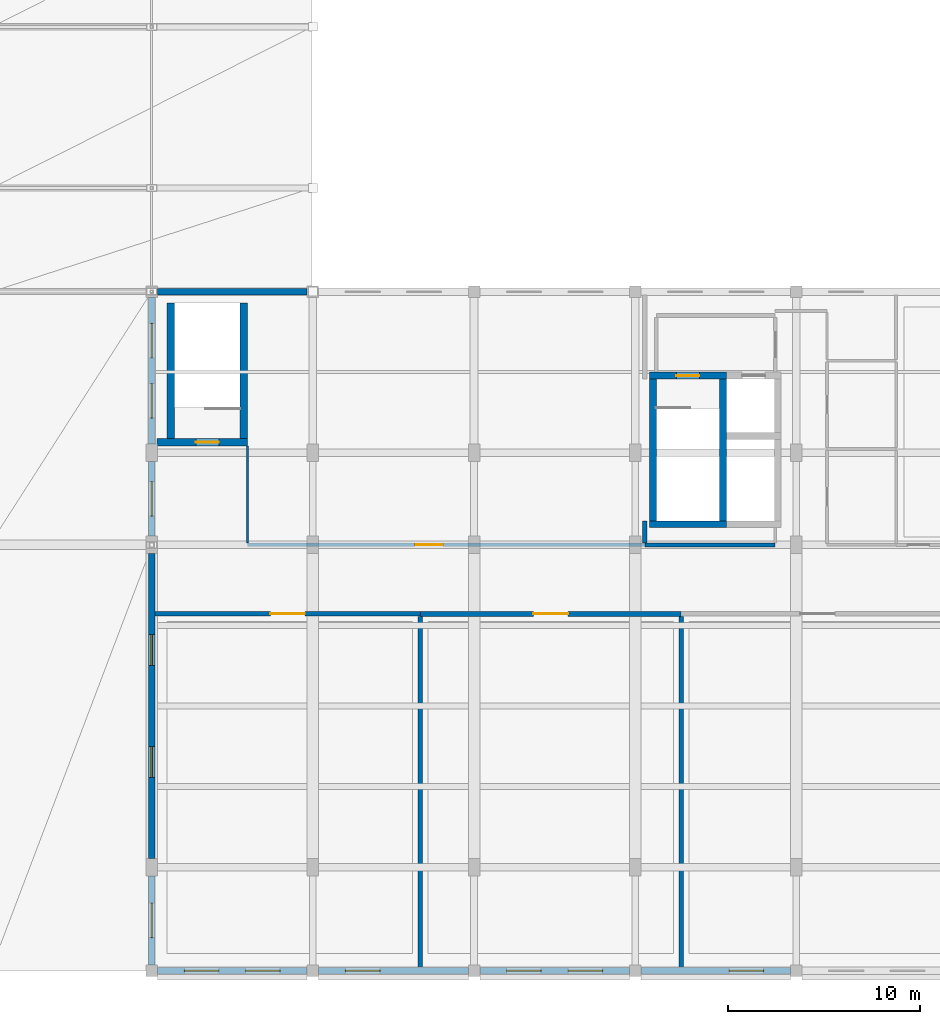
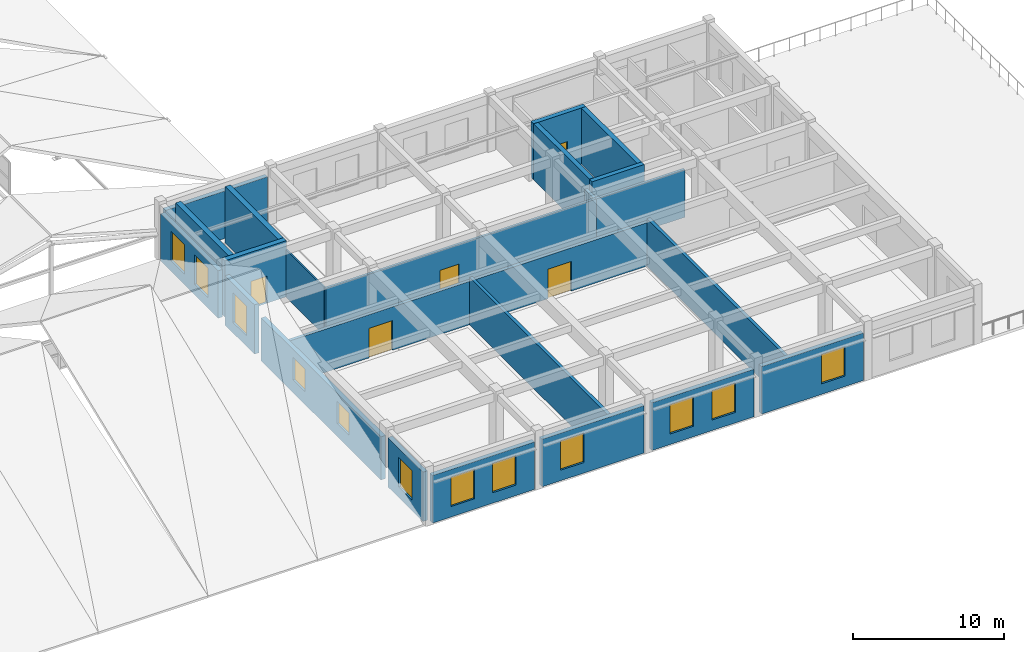
# One storey, part 68 of 76: 24 walls, 12 windows, 5 doors, 17 openings.
"""IFC4 building model written with IfcOpenShell, lengths in metres."""

import ifcopenshell
import ifcopenshell.guid

model = None  # the IFC model being written
_history = None  # IfcOwnerHistory: only IFC2X3 demands one
_inside = {}  # id of a spatial element -> (the spatial element, [elements in it])
_under = {}  # id of a project, library or spatial element -> (it, [spatial elements below it])
_declared = {}  # id of a project -> (the project, [libraries it declares])
_typed = {}  # id of a type object -> (the type object, [elements of that type])
_made_of = {}  # id of a material, layer set ... -> (it, [elements and type objects made of it])


def new_model(schema):
    """Start an empty IFC model of exactly this schema.

    Asked for "IFC4X3", IfcOpenShell would pick the latest addendum, in which some entities
    have other attributes; the version numbers below select the first issue.
    IFC2X3 requires an IfcOwnerHistory on every rooted entity: one is made here for all.
    """
    global model, _history
    if schema == "IFC4X3":
        model = ifcopenshell.file(schema_version=(4, 3, 0, 0))
    else:
        model = ifcopenshell.file(schema=schema)
    _inside.clear()
    _under.clear()
    _declared.clear()
    _typed.clear()
    _made_of.clear()
    _history = None
    if model.schema == "IFC2X3":
        org = make("IfcOrganization", Name="unknown")
        user = make(
            "IfcPersonAndOrganization",
            ThePerson=make("IfcPerson", FamilyName="unknown"),
            TheOrganization=org,
        )
        app = make(
            "IfcApplication",
            ApplicationDeveloper=org,
            Version="unknown",
            ApplicationFullName="unknown",
            ApplicationIdentifier="unknown",
        )
        _history = make(
            "IfcOwnerHistory",
            OwningUser=user,
            OwningApplication=app,
            ChangeAction="ADDED",
            CreationDate=0,
        )
    return model


def make(cls, **values):
    """One entity of the class cls with the attributes given. An attribute that is None is left unset."""
    return model.create_entity(
        cls, **{name: value for name, value in values.items() if value is not None}
    )


def rooted(cls, **values):
    """An entity with a GlobalId (a new one), such as an element, a storey or a relation."""
    return make(cls, GlobalId=ifcopenshell.guid.new(), OwnerHistory=_history, **values)


def si_unit(unit_type, name, prefix=None):
    """IfcSIUnit, for example si_unit("LENGTHUNIT", "METRE", prefix="MILLI")."""
    return make("IfcSIUnit", UnitType=unit_type, Prefix=prefix, Name=name)


def assignment(units):
    """IfcUnitAssignment: the units of a project."""
    return None if units is None else make("IfcUnitAssignment", Units=units)


def point(xyz):
    """IfcCartesianPoint."""
    return None if xyz is None else make("IfcCartesianPoint", Coordinates=xyz)


def direction(xyz):
    """IfcDirection."""
    return None if xyz is None else make("IfcDirection", DirectionRatios=xyz)


def frame(location, z_axis=None, x_axis=None):
    """IfcAxis2Placement3D, a coordinate frame: its origin and axes. An axis left out is left unset."""
    return make(
        "IfcAxis2Placement3D",
        Location=point(location),
        Axis=direction(z_axis),
        RefDirection=direction(x_axis),
    )


def frame_2d(location, x_axis=None):
    """IfcAxis2Placement2D, a coordinate frame in the plane: its origin and x axis."""
    return make(
        "IfcAxis2Placement2D", Location=point(location), RefDirection=direction(x_axis)
    )


def origin():
    """The frame at (0, 0, 0) with its axes left unset."""
    return frame((0.0, 0.0, 0.0))


def place(relative_to, where):
    """IfcLocalPlacement: puts the frame where relative to a parent placement (None: the world)."""
    return make(
        "IfcLocalPlacement", PlacementRelTo=relative_to, RelativePlacement=where
    )


def context(
    kind, dimensions, precision=None, world=None, true_north=None, identifier=None
):
    """IfcGeometricRepresentationContext, for example the 3D "Model" context."""
    return make(
        "IfcGeometricRepresentationContext",
        ContextIdentifier=identifier,
        ContextType=kind,
        CoordinateSpaceDimension=dimensions,
        Precision=precision,
        WorldCoordinateSystem=world,
        TrueNorth=true_north,
    )


def subcontext(parent, identifier, kind, view, scale=None):
    """IfcGeometricRepresentationSubContext, for example "Body" below "Model"."""
    return make(
        "IfcGeometricRepresentationSubContext",
        ContextIdentifier=identifier,
        ContextType=kind,
        ParentContext=parent,
        TargetScale=scale,
        TargetView=view,
    )


def project(units=None, contexts=None):
    """IfcProject with its units and contexts."""
    return rooted(
        "IfcProject",
        Name="project",
        RepresentationContexts=contexts,
        UnitsInContext=assignment(units),
    )


def spatial(cls, under=None, at=None, **own):
    """A site, building, storey or space (cls), placed at a placement, below another one or the project."""
    s = rooted(cls, ObjectPlacement=at, **own)
    if under is not None:
        _under.setdefault(under.id(), (under, []))[1].append(s)
    return s


def profile(cls, at=None, kind="AREA", **sizes):
    """A parametric profile (cls). Its sizes go by their IFC names, for example OverallWidth=200.0."""
    return make(cls, ProfileType=kind, Position=at, **sizes)


def rectangle(**sizes):
    """IfcRectangleProfileDef."""
    return profile("IfcRectangleProfileDef", **sizes)


def extrude(swept, where, along, depth):
    """IfcExtrudedAreaSolid: the profile swept, set in the frame where, extruded along a direction by depth."""
    return make(
        "IfcExtrudedAreaSolid",
        SweptArea=swept,
        Position=where,
        ExtrudedDirection=direction(along),
        Depth=depth,
    )


def shape(context_of_items, identifier, shape_type, items):
    """IfcShapeRepresentation: the items that make up one representation, for example the "Body"."""
    return make(
        "IfcShapeRepresentation",
        ContextOfItems=context_of_items,
        RepresentationIdentifier=identifier,
        RepresentationType=shape_type,
        Items=items,
    )


def material(Name=None, Category=None):
    """IfcMaterial."""
    return make("IfcMaterial", Name=Name, Category=Category)


def layer(
    of_material, thickness, ventilated=None, Name=None, Category=None, Priority=None
):
    """IfcMaterialLayer: one layer of a wall or slab, of a material (None: an air gap)."""
    return make(
        "IfcMaterialLayer",
        Material=of_material,
        LayerThickness=thickness,
        IsVentilated=ventilated,
        Name=Name,
        Category=Category,
        Priority=Priority,
    )


def layer_set(layers, Name=None):
    """IfcMaterialLayerSet."""
    return make("IfcMaterialLayerSet", MaterialLayers=layers, LayerSetName=Name)


def made_of(thing, what):
    """Note that an element or type object is made of a material, layer set ...; save() writes the relation."""
    if what is not None:
        _made_of.setdefault(what.id(), (what, []))[1].append(thing)
    return thing


def type_object(cls, material=None, **own):
    """A type object (cls), such as IfcWallType, which elements share."""
    return made_of(rooted(cls, **own), material)


def element(
    cls,
    number,
    at=None,
    inside=None,
    cuts=None,
    type_object=None,
    material=None,
    context=None,
    identifier="Body",
    shape_type=None,
    held_by="IfcProductDefinitionShape",
    body=None,
    shapes=None,
    **own,
):
    """One element of the class cls, such as IfcWall. Its Tag is "e" and its number.

    at: its placement. inside: the storey or other place that contains it. cuts: it is an
    opening in that element (IfcRelVoidsElement). A single representation is given by context,
    identifier, shape_type and body (its items); several are given by shapes. held_by: the class
    of the entity that holds the representations. save() writes the other relations.
    """
    e = rooted(cls, Tag="e%d" % number, ObjectPlacement=at, **own)
    if body is not None:
        shapes = [shape(context, identifier, shape_type, body)]
    if shapes is not None:
        e.Representation = make(held_by, Representations=shapes)
    if inside is not None:
        _inside.setdefault(inside.id(), (inside, []))[1].append(e)
    if cuts is not None:
        rooted(
            "IfcRelVoidsElement", RelatingBuildingElement=cuts, RelatedOpeningElement=e
        )
    if type_object is not None:
        _typed.setdefault(type_object.id(), (type_object, []))[1].append(e)
    return made_of(e, material)


def fill(opening, filler):
    """IfcRelFillsElement: the door or window that sits in an opening."""
    return rooted(
        "IfcRelFillsElement",
        RelatingOpeningElement=opening,
        RelatedBuildingElement=filler,
    )


def aggregate(whole, parts):
    """IfcRelAggregates: a whole, such as a stair, and the parts it consists of."""
    return rooted("IfcRelAggregates", RelatingObject=whole, RelatedObjects=parts)


def save(model, path):
    """Write the relations noted so far, then the file.

    IfcRelAggregates (storeys below a building ...), IfcRelContainedInSpatialStructure (elements
    in a storey), IfcRelDefinesByType, IfcRelAssociatesMaterial and IfcRelDeclares: one each for
    every whole, place, type object, material and project.
    """
    for whole, parts in _under.values():
        aggregate(whole, parts)
    for where, things in _inside.values():
        rooted(
            "IfcRelContainedInSpatialStructure",
            RelatedElements=things,
            RelatingStructure=where,
        )
    for kind, things in _typed.values():
        rooted("IfcRelDefinesByType", RelatedObjects=things, RelatingType=kind)
    for what, things in _made_of.values():
        rooted("IfcRelAssociatesMaterial", RelatedObjects=things, RelatingMaterial=what)
    for by, libraries in _declared.values():
        rooted("IfcRelDeclares", RelatingContext=by, RelatedDefinitions=libraries)
    model.write(path)


model = new_model("IFC4")

# Units and contexts
model_context = context("Model", 3, precision=1e-05, world=origin(), true_north=direction((0.0, 1.0)))
body_context = subcontext(model_context, "Body", "Model", "MODEL_VIEW")
ifc_project = project(units=[si_unit("LENGTHUNIT", "METRE"), si_unit("AREAUNIT", "SQUARE_METRE"), si_unit("VOLUMEUNIT", "CUBIC_METRE"), si_unit("PLANEANGLEUNIT", "RADIAN"), si_unit("MASSUNIT", "GRAM", prefix="KILO")], contexts=[model_context])

# Site, building, storey
site_placement = place(None, origin())
site = spatial("IfcSite", under=ifc_project, at=site_placement, CompositionType="ELEMENT")
building_placement = place(site_placement, origin())
building = spatial("IfcBuilding", under=site, at=building_placement, Name="Krzemoval Escarpment Law Courts", CompositionType="ELEMENT")
storey_placement = place(building_placement, frame((0.0, 0.0, 20.39990234375)))
storey = spatial("IfcBuildingStorey", under=building, at=storey_placement, Name="L04", CompositionType="ELEMENT", Elevation=20.39990234375)

# Wall, opening, window
ifc_material_1 = material(Name="Precast concrete C40/50", Category="concrete")
ifc_layer_1 = layer(ifc_material_1, 0.340087890625)
ifc_layer_set_1 = layer_set([ifc_layer_1], Name="Precast concrete C40/50")
wall_type_1 = type_object("IfcWallType", Name="WL-EXT-340", PredefinedType="SOLIDWALL", material=ifc_layer_set_1)
wall_1_placement = place(storey_placement, frame((33.60009765625, 0.300048828125, 0.0), z_axis=(0.0, 0.0, 1.0), x_axis=(0.0, 1.0, 0.0)))
wall_1 = element("IfcWall", 1, at=wall_1_placement, inside=storey, type_object=wall_type_1, Name="Exterior Wall EW-L04-0395", PredefinedType="SOLIDWALL", context=body_context, shape_type="SweptSolid", body=[
    extrude(rectangle(XDim=4.64990234375, YDim=0.340087890625, at=frame_2d((2.324951171875, 0.0))), origin(), (0.0, 0.0, 1.0), 4.0),
])
opening_1_placement = place(wall_1_placement, frame((1.425048828125, 0.0, 0.85009765625)))
opening_1 = element("IfcOpeningElement", 2, at=opening_1_placement, cuts=wall_1, Name="Opening WN-L04-0467", PredefinedType="OPENING", context=body_context, shape_type="SweptSolid", body=[
    extrude(rectangle(XDim=1.800048828125, YDim=2.39990234375, at=frame_2d((0.89990234375, 1.199951171875))), frame((0.0, 0.18504, 0.0), z_axis=(0.0, -1.0, 0.0), x_axis=(1.0, 0.0, 0.0)), (0.0, 0.0, 1.0), 0.37009),
])
ifc_material_2 = material(Name="Thermally Broken Aluminium Frame with Triple Low-E Acoustic Glass", Category="aluminium")
window_type_1 = type_object("IfcWindowType", Name="WN-1800x2400", PartitioningType="SINGLE_PANEL", PredefinedType="WINDOW", material=ifc_material_2)
window_1_placement = place(opening_1_placement, origin())
window_1 = element("IfcWindow", 3, at=window_1_placement, inside=storey, type_object=window_type_1, Name="Facade Window WN-L04-0467", OverallHeight=2.39990234375, OverallWidth=1.800048828125, PartitioningType="SINGLE_PANEL", PredefinedType="WINDOW", context=body_context, shape_type="SweptSolid", body=[
    extrude(rectangle(XDim=1.800048828125, YDim=2.39990234375, at=frame_2d((0.89990234375, 1.199951171875))), frame((0.0, 0.030029296875, 0.0), z_axis=(0.0, -1.0, 0.0), x_axis=(1.0, 0.0, 0.0)), (0.0, 0.0, 1.0), 0.06005859375),
])
fill(opening_1, window_1)

# Wall, openings, windows
wall_2_placement = place(storey_placement, frame((33.60009765625, 5.85009765625, 0.0), z_axis=(0.0, 0.0, 1.0), x_axis=(0.0, 1.0, 0.0)))
wall_2 = element("IfcWall", 4, at=wall_2_placement, inside=storey, type_object=wall_type_1, Name="Exterior Wall EW-L04-0396", PredefinedType="SOLIDWALL", context=body_context, shape_type="SweptSolid", body=[
    extrude(rectangle(XDim=15.89990234375, YDim=0.340087890625, at=frame_2d((7.949951171875, 0.0))), origin(), (0.0, 0.0, 1.0), 3.5),
])
opening_2_placement = place(wall_2_placement, frame((4.23291015625, 0.0, 1.050048828125)))
opening_2 = element("IfcOpeningElement", 5, at=opening_2_placement, cuts=wall_2, Name="Opening WN-L04-0468", PredefinedType="OPENING", context=body_context, shape_type="SweptSolid", body=[
    extrude(rectangle(XDim=1.60009765625, YDim=1.800048828125, at=frame_2d((0.800048828125, 0.89990234375))), frame((0.0, 0.18504, 0.0), z_axis=(0.0, -1.0, 0.0), x_axis=(1.0, 0.0, 0.0)), (0.0, 0.0, 1.0), 0.37009),
])
opening_3_placement = place(wall_2_placement, frame((10.06689453125, 0.0, 1.050048828125)))
opening_3 = element("IfcOpeningElement", 6, at=opening_3_placement, cuts=wall_2, Name="Opening WN-L04-0469", PredefinedType="OPENING", context=body_context, shape_type="SweptSolid", body=[
    extrude(rectangle(XDim=1.60009765625, YDim=1.800048828125, at=frame_2d((0.800048828125, 0.89990234375))), frame((0.0, 0.18504, 0.0), z_axis=(0.0, -1.0, 0.0), x_axis=(1.0, 0.0, 0.0)), (0.0, 0.0, 1.0), 0.37009),
])
ifc_material_3 = material(Name="Thermally Broken Aluminium Frame with Triple Low-E Acoustic Glass", Category="aluminium")
window_type_2 = type_object("IfcWindowType", Name="WN-1600x1800", PartitioningType="SINGLE_PANEL", PredefinedType="WINDOW", material=ifc_material_3)
window_2_placement = place(opening_2_placement, origin())
window_2 = element("IfcWindow", 7, at=window_2_placement, inside=storey, type_object=window_type_2, Name="Facade Window WN-L04-0468", OverallHeight=1.800048828125, OverallWidth=1.60009765625, PartitioningType="SINGLE_PANEL", PredefinedType="WINDOW", context=body_context, shape_type="SweptSolid", body=[
    extrude(rectangle(XDim=1.60009765625, YDim=1.800048828125, at=frame_2d((0.800048828125, 0.89990234375))), frame((0.0, 0.030029296875, 0.0), z_axis=(0.0, -1.0, 0.0), x_axis=(1.0, 0.0, 0.0)), (0.0, 0.0, 1.0), 0.06005859375),
])
fill(opening_2, window_2)
window_3_placement = place(opening_3_placement, origin())
window_3 = element("IfcWindow", 8, at=window_3_placement, inside=storey, type_object=window_type_2, Name="Facade Window WN-L04-0469", OverallHeight=1.800048828125, OverallWidth=1.60009765625, PartitioningType="SINGLE_PANEL", PredefinedType="WINDOW", context=body_context, shape_type="SweptSolid", body=[
    extrude(rectangle(XDim=1.60009765625, YDim=1.800048828125, at=frame_2d((0.800048828125, 0.89990234375))), frame((0.0, 0.030029296875, 0.0), z_axis=(0.0, -1.0, 0.0), x_axis=(1.0, 0.0, 0.0)), (0.0, 0.0, 1.0), 0.06005859375),
])
fill(opening_3, window_3)

# Wall, opening, window
wall_3_placement = place(storey_placement, frame((33.60009765625, 22.64990234375, 0.0), z_axis=(0.0, 0.0, 1.0), x_axis=(0.0, 1.0, 0.0)))
wall_3 = element("IfcWall", 9, at=wall_3_placement, inside=storey, type_object=wall_type_1, Name="Exterior Wall EW-L04-0397", PredefinedType="SOLIDWALL", context=body_context, shape_type="SweptSolid", body=[
    extrude(rectangle(XDim=3.900146484375, YDim=0.340087890625, at=frame_2d((1.9501953125, 0.0))), origin(), (0.0, 0.0, 1.0), 4.0),
])
opening_4_placement = place(wall_3_placement, frame((1.050048828125, 0.0, 0.85009765625)))
opening_4 = element("IfcOpeningElement", 10, at=opening_4_placement, cuts=wall_3, Name="Opening WN-L04-0470", PredefinedType="OPENING", context=body_context, shape_type="SweptSolid", body=[
    extrude(rectangle(XDim=1.800048828125, YDim=2.39990234375, at=frame_2d((0.89990234375, 1.199951171875))), frame((0.0, 0.18504, 0.0), z_axis=(0.0, -1.0, 0.0), x_axis=(1.0, 0.0, 0.0)), (0.0, 0.0, 1.0), 0.37009),
])
window_4_placement = place(opening_4_placement, origin())
window_4 = element("IfcWindow", 11, at=window_4_placement, inside=storey, type_object=window_type_1, Name="Facade Window WN-L04-0470", OverallHeight=2.39990234375, OverallWidth=1.800048828125, PartitioningType="SINGLE_PANEL", PredefinedType="WINDOW", context=body_context, shape_type="SweptSolid", body=[
    extrude(rectangle(XDim=1.800048828125, YDim=2.39990234375, at=frame_2d((0.89990234375, 1.199951171875))), frame((0.0, 0.030029296875, 0.0), z_axis=(0.0, -1.0, 0.0), x_axis=(1.0, 0.0, 0.0)), (0.0, 0.0, 1.0), 0.06005859375),
])
fill(opening_4, window_4)

# Wall, openings, windows
wall_4_placement = place(storey_placement, frame((33.60009765625, 27.449951171875, 0.0), z_axis=(0.0, 0.0, 1.0), x_axis=(0.0, 1.0, 0.0)))
wall_4 = element("IfcWall", 12, at=wall_4_placement, inside=storey, type_object=wall_type_1, Name="Exterior Wall EW-L04-0398", PredefinedType="SOLIDWALL", context=body_context, shape_type="SweptSolid", body=[
    extrude(rectangle(XDim=7.650146484375, YDim=0.340087890625, at=frame_2d((3.8251953125, 0.0))), origin(), (0.0, 0.0, 1.0), 3.85009765625),
])
opening_5_placement = place(wall_4_placement, frame((1.35009765625, 0.0, 0.85009765625)))
opening_5 = element("IfcOpeningElement", 13, at=opening_5_placement, cuts=wall_4, Name="Opening WN-L04-0471", PredefinedType="OPENING", context=body_context, shape_type="SweptSolid", body=[
    extrude(rectangle(XDim=1.800048828125, YDim=2.39990234375, at=frame_2d((0.89990234375, 1.199951171875))), frame((0.0, 0.18504, 0.0), z_axis=(0.0, -1.0, 0.0), x_axis=(1.0, 0.0, 0.0)), (0.0, 0.0, 1.0), 0.37009),
])
opening_6_placement = place(wall_4_placement, frame((4.5, 0.0, 0.85009765625)))
opening_6 = element("IfcOpeningElement", 14, at=opening_6_placement, cuts=wall_4, Name="Opening WN-L04-0472", PredefinedType="OPENING", context=body_context, shape_type="SweptSolid", body=[
    extrude(rectangle(XDim=1.800048828125, YDim=2.39990234375, at=frame_2d((0.89990234375, 1.199951171875))), frame((0.0, 0.18504, 0.0), z_axis=(0.0, -1.0, 0.0), x_axis=(1.0, 0.0, 0.0)), (0.0, 0.0, 1.0), 0.37009),
])
window_5_placement = place(opening_5_placement, origin())
window_5 = element("IfcWindow", 15, at=window_5_placement, inside=storey, type_object=window_type_1, Name="Facade Window WN-L04-0471", OverallHeight=2.39990234375, OverallWidth=1.800048828125, PartitioningType="SINGLE_PANEL", PredefinedType="WINDOW", context=body_context, shape_type="SweptSolid", body=[
    extrude(rectangle(XDim=1.800048828125, YDim=2.39990234375, at=frame_2d((0.89990234375, 1.199951171875))), frame((0.0, 0.030029296875, 0.0), z_axis=(0.0, -1.0, 0.0), x_axis=(1.0, 0.0, 0.0)), (0.0, 0.0, 1.0), 0.06005859375),
])
fill(opening_5, window_5)
window_6_placement = place(opening_6_placement, origin())
window_6 = element("IfcWindow", 16, at=window_6_placement, inside=storey, type_object=window_type_1, Name="Facade Window WN-L04-0472", OverallHeight=2.39990234375, OverallWidth=1.800048828125, PartitioningType="SINGLE_PANEL", PredefinedType="WINDOW", context=body_context, shape_type="SweptSolid", body=[
    extrude(rectangle(XDim=1.800048828125, YDim=2.39990234375, at=frame_2d((0.89990234375, 1.199951171875))), frame((0.0, 0.030029296875, 0.0), z_axis=(0.0, -1.0, 0.0), x_axis=(1.0, 0.0, 0.0)), (0.0, 0.0, 1.0), 0.06005859375),
])
fill(opening_6, window_6)

# Wall
wall_5_placement = place(storey_placement, frame((33.89990234375, 35.39990234375, 0.0), z_axis=(0.0, 0.0, 1.0), x_axis=(1.0, 0.0, 0.0)))
element("IfcWall", 17, at=wall_5_placement, inside=storey, type_object=wall_type_1, Name="Exterior Wall EW-L04-0399", PredefinedType="SOLIDWALL", context=body_context, shape_type="SweptSolid", body=[
    extrude(rectangle(XDim=7.800048828125, YDim=0.340087890625, at=frame_2d((3.89990234375, 0.0))), origin(), (0.0, 0.0, 1.0), 3.85009765625),
])

# Wall, opening, window
wall_6_placement = place(storey_placement, frame((66.89990234375, 0.0, 0.0), z_axis=(0.0, 0.0, 1.0), x_axis=(-1.0, 0.0, 0.0)))
wall_6 = element("IfcWall", 18, at=wall_6_placement, inside=storey, type_object=wall_type_1, Name="Exterior Wall EW-L04-0409", PredefinedType="SOLIDWALL", context=body_context, shape_type="SweptSolid", body=[
    extrude(rectangle(XDim=7.7998046875, YDim=0.340087890625, at=frame_2d((3.89990234375, 0.0))), origin(), (0.0, 0.0, 1.0), 3.85009765625),
])
opening_7_placement = place(wall_6_placement, frame((1.39990234375, 0.0, 0.85009765625)))
opening_7 = element("IfcOpeningElement", 19, at=opening_7_placement, cuts=wall_6, Name="Opening WN-L04-0486", PredefinedType="OPENING", context=body_context, shape_type="SweptSolid", body=[
    extrude(rectangle(XDim=1.800048828125, YDim=2.39990234375, at=frame_2d((0.89990234375, 1.199951171875))), frame((0.0, 0.18504, 0.0), z_axis=(0.0, -1.0, 0.0), x_axis=(1.0, 0.0, 0.0)), (0.0, 0.0, 1.0), 0.37009),
])
window_7_placement = place(opening_7_placement, origin())
window_7 = element("IfcWindow", 20, at=window_7_placement, inside=storey, type_object=window_type_1, Name="Facade Window WN-L04-0486", OverallHeight=2.39990234375, OverallWidth=1.800048828125, PartitioningType="SINGLE_PANEL", PredefinedType="WINDOW", context=body_context, shape_type="SweptSolid", body=[
    extrude(rectangle(XDim=1.800048828125, YDim=2.39990234375, at=frame_2d((0.89990234375, 1.199951171875))), frame((0.0, 0.030029296875, 0.0), z_axis=(0.0, -1.0, 0.0), x_axis=(1.0, 0.0, 0.0)), (0.0, 0.0, 1.0), 0.06005859375),
])
fill(opening_7, window_7)

# Wall, openings, windows
wall_7_placement = place(storey_placement, frame((58.5, 0.0, 0.0), z_axis=(0.0, 0.0, 1.0), x_axis=(-1.0, 0.0, 0.0)))
wall_7 = element("IfcWall", 21, at=wall_7_placement, inside=storey, type_object=wall_type_1, Name="Exterior Wall EW-L04-0410", PredefinedType="SOLIDWALL", context=body_context, shape_type="SweptSolid", body=[
    extrude(rectangle(XDim=7.800048828125, YDim=0.340087890625, at=frame_2d((3.89990234375, 0.0))), origin(), (0.0, 0.0, 1.0), 3.85009765625),
])
opening_8_placement = place(wall_7_placement, frame((1.39990234375, 0.0, 0.85009765625)))
opening_8 = element("IfcOpeningElement", 22, at=opening_8_placement, cuts=wall_7, Name="Opening WN-L04-0487", PredefinedType="OPENING", context=body_context, shape_type="SweptSolid", body=[
    extrude(rectangle(XDim=1.800048828125, YDim=2.39990234375, at=frame_2d((0.89990234375, 1.199951171875))), frame((0.0, 0.18504, 0.0), z_axis=(0.0, -1.0, 0.0), x_axis=(1.0, 0.0, 0.0)), (0.0, 0.0, 1.0), 0.37009),
])
opening_9_placement = place(wall_7_placement, frame((4.60009765625, 0.0, 0.85009765625)))
opening_9 = element("IfcOpeningElement", 23, at=opening_9_placement, cuts=wall_7, Name="Opening WN-L04-0488", PredefinedType="OPENING", context=body_context, shape_type="SweptSolid", body=[
    extrude(rectangle(XDim=1.800048828125, YDim=2.39990234375, at=frame_2d((0.89990234375, 1.199951171875))), frame((0.0, 0.18504, 0.0), z_axis=(0.0, -1.0, 0.0), x_axis=(1.0, 0.0, 0.0)), (0.0, 0.0, 1.0), 0.37009),
])
window_8_placement = place(opening_8_placement, origin())
window_8 = element("IfcWindow", 24, at=window_8_placement, inside=storey, type_object=window_type_1, Name="Facade Window WN-L04-0487", OverallHeight=2.39990234375, OverallWidth=1.800048828125, PartitioningType="SINGLE_PANEL", PredefinedType="WINDOW", context=body_context, shape_type="SweptSolid", body=[
    extrude(rectangle(XDim=1.800048828125, YDim=2.39990234375, at=frame_2d((0.89990234375, 1.199951171875))), frame((0.0, 0.030029296875, 0.0), z_axis=(0.0, -1.0, 0.0), x_axis=(1.0, 0.0, 0.0)), (0.0, 0.0, 1.0), 0.06005859375),
])
fill(opening_8, window_8)
window_9_placement = place(opening_9_placement, origin())
window_9 = element("IfcWindow", 25, at=window_9_placement, inside=storey, type_object=window_type_1, Name="Facade Window WN-L04-0488", OverallHeight=2.39990234375, OverallWidth=1.800048828125, PartitioningType="SINGLE_PANEL", PredefinedType="WINDOW", context=body_context, shape_type="SweptSolid", body=[
    extrude(rectangle(XDim=1.800048828125, YDim=2.39990234375, at=frame_2d((0.89990234375, 1.199951171875))), frame((0.0, 0.030029296875, 0.0), z_axis=(0.0, -1.0, 0.0), x_axis=(1.0, 0.0, 0.0)), (0.0, 0.0, 1.0), 0.06005859375),
])
fill(opening_9, window_9)

# Wall, opening, window
wall_8_placement = place(storey_placement, frame((50.10009765625, 0.0, 0.0), z_axis=(0.0, 0.0, 1.0), x_axis=(-1.0, 0.0, 0.0)))
wall_8 = element("IfcWall", 26, at=wall_8_placement, inside=storey, type_object=wall_type_1, Name="Exterior Wall EW-L04-0411", PredefinedType="SOLIDWALL", context=body_context, shape_type="SweptSolid", body=[
    extrude(rectangle(XDim=7.800048828125, YDim=0.340087890625, at=frame_2d((3.89990234375, 0.0))), origin(), (0.0, 0.0, 1.0), 3.85009765625),
])
opening_10_placement = place(wall_8_placement, frame((4.60009765625, 0.0, 0.85009765625)))
opening_10 = element("IfcOpeningElement", 27, at=opening_10_placement, cuts=wall_8, Name="Opening WN-L04-0489", PredefinedType="OPENING", context=body_context, shape_type="SweptSolid", body=[
    extrude(rectangle(XDim=1.800048828125, YDim=2.39990234375, at=frame_2d((0.89990234375, 1.199951171875))), frame((0.0, 0.18504, 0.0), z_axis=(0.0, -1.0, 0.0), x_axis=(1.0, 0.0, 0.0)), (0.0, 0.0, 1.0), 0.37009),
])
window_10_placement = place(opening_10_placement, origin())
window_10 = element("IfcWindow", 28, at=window_10_placement, inside=storey, type_object=window_type_1, Name="Facade Window WN-L04-0489", OverallHeight=2.39990234375, OverallWidth=1.800048828125, PartitioningType="SINGLE_PANEL", PredefinedType="WINDOW", context=body_context, shape_type="SweptSolid", body=[
    extrude(rectangle(XDim=1.800048828125, YDim=2.39990234375, at=frame_2d((0.89990234375, 1.199951171875))), frame((0.0, 0.030029296875, 0.0), z_axis=(0.0, -1.0, 0.0), x_axis=(1.0, 0.0, 0.0)), (0.0, 0.0, 1.0), 0.06005859375),
])
fill(opening_10, window_10)

# Wall, openings, windows
wall_9_placement = place(storey_placement, frame((41.699951171875, 0.0, 0.0), z_axis=(0.0, 0.0, 1.0), x_axis=(-1.0, 0.0, 0.0)))
wall_9 = element("IfcWall", 29, at=wall_9_placement, inside=storey, type_object=wall_type_1, Name="Exterior Wall EW-L04-0412", PredefinedType="SOLIDWALL", context=body_context, shape_type="SweptSolid", body=[
    extrude(rectangle(XDim=7.800048828125, YDim=0.340087890625, at=frame_2d((3.89990234375, 0.0))), origin(), (0.0, 0.0, 1.0), 3.85009765625),
])
opening_11_placement = place(wall_9_placement, frame((1.39990234375, 0.0, 0.85009765625)))
opening_11 = element("IfcOpeningElement", 30, at=opening_11_placement, cuts=wall_9, Name="Opening WN-L04-0490", PredefinedType="OPENING", context=body_context, shape_type="SweptSolid", body=[
    extrude(rectangle(XDim=1.800048828125, YDim=2.39990234375, at=frame_2d((0.89990234375, 1.199951171875))), frame((0.0, 0.18504, 0.0), z_axis=(0.0, -1.0, 0.0), x_axis=(1.0, 0.0, 0.0)), (0.0, 0.0, 1.0), 0.37009),
])
opening_12_placement = place(wall_9_placement, frame((4.60009765625, 0.0, 0.85009765625)))
opening_12 = element("IfcOpeningElement", 31, at=opening_12_placement, cuts=wall_9, Name="Opening WN-L04-0491", PredefinedType="OPENING", context=body_context, shape_type="SweptSolid", body=[
    extrude(rectangle(XDim=1.800048828125, YDim=2.39990234375, at=frame_2d((0.89990234375, 1.199951171875))), frame((0.0, 0.18504, 0.0), z_axis=(0.0, -1.0, 0.0), x_axis=(1.0, 0.0, 0.0)), (0.0, 0.0, 1.0), 0.37009),
])
window_11_placement = place(opening_11_placement, origin())
window_11 = element("IfcWindow", 32, at=window_11_placement, inside=storey, type_object=window_type_1, Name="Facade Window WN-L04-0490", OverallHeight=2.39990234375, OverallWidth=1.800048828125, PartitioningType="SINGLE_PANEL", PredefinedType="WINDOW", context=body_context, shape_type="SweptSolid", body=[
    extrude(rectangle(XDim=1.800048828125, YDim=2.39990234375, at=frame_2d((0.89990234375, 1.199951171875))), frame((0.0, 0.030029296875, 0.0), z_axis=(0.0, -1.0, 0.0), x_axis=(1.0, 0.0, 0.0)), (0.0, 0.0, 1.0), 0.06005859375),
])
fill(opening_11, window_11)
window_12_placement = place(opening_12_placement, origin())
window_12 = element("IfcWindow", 33, at=window_12_placement, inside=storey, type_object=window_type_1, Name="Facade Window WN-L04-0491", OverallHeight=2.39990234375, OverallWidth=1.800048828125, PartitioningType="SINGLE_PANEL", PredefinedType="WINDOW", context=body_context, shape_type="SweptSolid", body=[
    extrude(rectangle(XDim=1.800048828125, YDim=2.39990234375, at=frame_2d((0.89990234375, 1.199951171875))), frame((0.0, 0.030029296875, 0.0), z_axis=(0.0, -1.0, 0.0), x_axis=(1.0, 0.0, 0.0)), (0.0, 0.0, 1.0), 0.06005859375),
])
fill(opening_12, window_12)

# Wall
ifc_material_4 = material(Name="Light Internal Subdivision Partition", Category="gypsum")
ifc_layer_2 = layer(ifc_material_4, 0.114990234375)
ifc_layer_set_2 = layer_set([ifc_layer_2], Name="Light Internal Subdivision Partition")
wall_type_2 = type_object("IfcWallType", Name="WL-PRT-115", PredefinedType="PARTITIONING", material=ifc_layer_set_2)
wall_10_placement = place(storey_placement, frame((38.60009765625, 22.2919921875, 0.0), z_axis=(0.0, 0.0, 1.0), x_axis=(0.0, 1.0, 0.0)))
element("IfcWall", 34, at=wall_10_placement, inside=storey, type_object=wall_type_2, Name="Interior Partition PW-L04-0615", PredefinedType="PARTITIONING", context=body_context, shape_type="SweptSolid", body=[
    extrude(rectangle(XDim=5.055908203125, YDim=0.114990234375, at=frame_2d((2.52783203125, 0.0))), origin(), (0.0, 0.0, 1.0), 3.85009765625),
])

# Wall, opening, door
ifc_material_5 = material(Name="Judicial Chambers Acoustic Partition", Category="gypsum")
ifc_layer_3 = layer(ifc_material_5, 0.179931640625)
ifc_layer_set_3 = layer_set([ifc_layer_3], Name="Judicial Chambers Acoustic Partition")
wall_type_3 = type_object("IfcWallType", Name="WL-PRT-180", PredefinedType="PARTITIONING", material=ifc_layer_set_3)
wall_11_placement = place(storey_placement, frame((38.60009765625, 22.199951171875, 0.0), z_axis=(0.0, 0.0, 1.0), x_axis=(1.0, 0.0, 0.0)))
wall_11 = element("IfcWall", 35, at=wall_11_placement, inside=storey, type_object=wall_type_3, Name="Interior Partition PW-L04-0592", PredefinedType="PARTITIONING", context=body_context, shape_type="SweptSolid", body=[
    extrude(rectangle(XDim=20.699951171875, YDim=0.179931640625, at=frame_2d((10.35009765625, 0.0))), origin(), (0.0, 0.0, 1.0), 3.85009765625),
])
opening_13_placement = place(wall_11_placement, frame((8.72509765625, 0.0, 0.0)))
opening_13 = element("IfcOpeningElement", 36, at=opening_13_placement, cuts=wall_11, Name="Opening D-L04-0207", PredefinedType="OPENING", context=body_context, shape_type="SweptSolid", body=[
    extrude(rectangle(XDim=1.449951171875, YDim=2.25, at=frame_2d((0.72509765625, 1.125))), frame((0.0, 0.10497, 0.0), z_axis=(0.0, -1.0, 0.0), x_axis=(1.0, 0.0, 0.0)), (0.0, 0.0, 1.0), 0.20993),
])
ifc_material_6 = material(Name="Engineered Solid-Core Oak Acoustic Timber", Category="wood")
door_type_1 = type_object("IfcDoorType", Name="DR-INT-1450x2250", OperationType="SINGLE_SWING_LEFT", PredefinedType="DOOR", material=ifc_material_6)
door_1_placement = place(opening_13_placement, origin())
door_1 = element("IfcDoor", 37, at=door_1_placement, inside=storey, type_object=door_type_1, Name="Room Door D-L04-0207", OperationType="SINGLE_SWING_LEFT", OverallHeight=2.25, OverallWidth=1.449951171875, PredefinedType="DOOR", context=body_context, shape_type="SweptSolid", body=[
    extrude(rectangle(XDim=1.449951171875, YDim=2.25, at=frame_2d((0.72509765625, 1.125))), frame((0.0, 0.02490234375, 0.0), z_axis=(0.0, -1.0, 0.0), x_axis=(1.0, 0.0, 0.0)), (0.0, 0.0, 1.0), 0.050048828125),
])
fill(opening_13, door_1)

# Wall
ifc_material_7 = material(Name="Fire-Rated Corridor Partition Wall", Category="gypsum")
ifc_layer_4 = layer(ifc_material_7, 0.199951171875)
ifc_layer_set_4 = layer_set([ifc_layer_4], Name="Fire-Rated Corridor Partition Wall")
wall_type_4 = type_object("IfcWallType", Name="WL-PRT-200", PredefinedType="PARTITIONING", material=ifc_layer_set_4)
wall_12_placement = place(storey_placement, frame((59.300048828125, 22.199951171875, 0.0), z_axis=(0.0, 0.0, 1.0), x_axis=(1.0, 0.0, 0.0)))
element("IfcWall", 38, at=wall_12_placement, inside=storey, type_object=wall_type_4, Name="Interior Partition PW-L04-0591", PredefinedType="PARTITIONING", context=body_context, shape_type="SweptSolid", body=[
    extrude(rectangle(XDim=6.800048828125, YDim=0.199951171875, at=frame_2d((3.39990234375, 0.0))), origin(), (0.0, 0.0, 1.0), 3.85009765625),
])

# Wall, opening, door
ifc_material_8 = material(Name="Acoustic Courtroom Partition Assembly", Category="gypsum")
ifc_layer_5 = layer(ifc_material_8, 0.239990234375)
ifc_layer_set_5 = layer_set([ifc_layer_5], Name="Acoustic Courtroom Partition Assembly")
wall_type_5 = type_object("IfcWallType", Name="WL-PRT-240", PredefinedType="PARTITIONING", material=ifc_layer_set_5)
wall_13_placement = place(storey_placement, frame((33.77197265625, 18.60009765625, 0.0), z_axis=(0.0, 0.0, 1.0), x_axis=(1.0, 0.0, 0.0)))
wall_13 = element("IfcWall", 39, at=wall_13_placement, inside=storey, type_object=wall_type_5, Name="Interior Partition PW-L04-0588", PredefinedType="PARTITIONING", context=body_context, shape_type="SweptSolid", body=[
    extrude(rectangle(XDim=13.828125, YDim=0.239990234375, at=frame_2d((6.9140625, 0.0))), origin(), (0.0, 0.0, 1.0), 3.5),
])
opening_14_placement = place(wall_13_placement, frame((6.013916015625, 0.0, 0.0)))
opening_14 = element("IfcOpeningElement", 40, at=opening_14_placement, cuts=wall_13, Name="Opening D-L04-0204", PredefinedType="OPENING", context=body_context, shape_type="SweptSolid", body=[
    extrude(rectangle(XDim=1.800048828125, YDim=2.39990234375, at=frame_2d((0.89990234375, 1.199951171875))), frame((0.0, 0.135, 0.0), z_axis=(0.0, -1.0, 0.0), x_axis=(1.0, 0.0, 0.0)), (0.0, 0.0, 1.0), 0.26999),
])
ifc_material_9 = material(Name="Engineered Solid-Core Oak Acoustic Timber", Category="wood")
door_type_2 = type_object("IfcDoorType", Name="DR-CRT-1800x2400", OperationType="SINGLE_SWING_LEFT", PredefinedType="DOOR", material=ifc_material_9)
door_2_placement = place(opening_14_placement, origin())
door_2 = element("IfcDoor", 41, at=door_2_placement, inside=storey, type_object=door_type_2, Name="Room Door D-L04-0204", OperationType="SINGLE_SWING_LEFT", OverallHeight=2.39990234375, OverallWidth=1.800048828125, PredefinedType="DOOR", context=body_context, shape_type="SweptSolid", body=[
    extrude(rectangle(XDim=1.800048828125, YDim=2.39990234375, at=frame_2d((0.89990234375, 1.199951171875))), frame((0.0, 0.02490234375, 0.0), z_axis=(0.0, -1.0, 0.0), x_axis=(1.0, 0.0, 0.0)), (0.0, 0.0, 1.0), 0.050048828125),
])
fill(opening_14, door_2)

# Walls
wall_14_placement = place(storey_placement, frame((47.60009765625, 0.172119140625, 0.0), z_axis=(0.0, 0.0, 1.0), x_axis=(0.0, 1.0, 0.0)))
element("IfcWall", 42, at=wall_14_placement, inside=storey, type_object=wall_type_5, Name="Interior Partition PW-L04-0616", PredefinedType="PARTITIONING", context=body_context, shape_type="SweptSolid", body=[
    extrude(rectangle(XDim=18.2958984375, YDim=0.239990234375, at=frame_2d((9.14794921875, 0.0))), origin(), (0.0, 0.0, 1.0), 3.85009765625),
])
wall_15_placement = place(storey_placement, frame((59.300048828125, 22.302001953125, 0.0), z_axis=(0.0, 0.0, 1.0), x_axis=(0.0, 1.0, 0.0)))
element("IfcWall", 43, at=wall_15_placement, inside=storey, type_object=wall_type_5, Name="Interior Partition PW-L04-0617", PredefinedType="PARTITIONING", context=body_context, shape_type="SweptSolid", body=[
    extrude(rectangle(XDim=1.14990234375, YDim=0.239990234375, at=frame_2d((0.574951171875, 0.0))), origin(), (0.0, 0.0, 1.0), 3.85009765625),
])
wall_16_placement = place(storey_placement, frame((61.199951171875, 0.172119140625, 0.0), z_axis=(0.0, 0.0, 1.0), x_axis=(0.0, 1.0, 0.0)))
element("IfcWall", 44, at=wall_16_placement, inside=storey, type_object=wall_type_5, Name="Interior Partition PW-L04-0620", PredefinedType="PARTITIONING", context=body_context, shape_type="SweptSolid", body=[
    extrude(rectangle(XDim=18.2958984375, YDim=0.239990234375, at=frame_2d((9.14794921875, 0.0))), origin(), (0.0, 0.0, 1.0), 3.85009765625),
])

# Wall, opening, door
ifc_material_10 = material(Name="Acoustic Double-Stud Gypsum and Mineral Wool Wall", Category="gypsum")
ifc_layer_6 = layer(ifc_material_10, 0.260009765625)
ifc_layer_set_6 = layer_set([ifc_layer_6], Name="Acoustic Double-Stud Gypsum and Mineral Wool Wall")
wall_type_6 = type_object("IfcWallType", Name="WL-PRT-260", PredefinedType="PARTITIONING", material=ifc_layer_set_6)
wall_17_placement = place(storey_placement, frame((47.60009765625, 18.60009765625, 0.0), z_axis=(0.0, 0.0, 1.0), x_axis=(1.0, 0.0, 0.0)))
wall_17 = element("IfcWall", 45, at=wall_17_placement, inside=storey, type_object=wall_type_6, Name="Interior Partition PW-L04-0589", PredefinedType="PARTITIONING", context=body_context, shape_type="SweptSolid", body=[
    extrude(rectangle(XDim=13.599853515625, YDim=0.260009765625, at=frame_2d((6.7998046875, 0.0))), origin(), (0.0, 0.0, 1.0), 3.5),
])
opening_15_placement = place(wall_17_placement, frame((5.89990234375, 0.0, 0.0)))
opening_15 = element("IfcOpeningElement", 46, at=opening_15_placement, cuts=wall_17, Name="Opening D-L04-0205", PredefinedType="OPENING", context=body_context, shape_type="SweptSolid", body=[
    extrude(rectangle(XDim=1.800048828125, YDim=2.39990234375, at=frame_2d((0.89990234375, 1.199951171875))), frame((0.0, 0.145, 0.0), z_axis=(0.0, -1.0, 0.0), x_axis=(1.0, 0.0, 0.0)), (0.0, 0.0, 1.0), 0.29001),
])
door_3_placement = place(opening_15_placement, origin())
door_3 = element("IfcDoor", 47, at=door_3_placement, inside=storey, type_object=door_type_2, Name="Room Door D-L04-0205", OperationType="SINGLE_SWING_LEFT", OverallHeight=2.39990234375, OverallWidth=1.800048828125, PredefinedType="DOOR", context=body_context, shape_type="SweptSolid", body=[
    extrude(rectangle(XDim=1.800048828125, YDim=2.39990234375, at=frame_2d((0.89990234375, 1.199951171875))), frame((0.0, 0.02490234375, 0.0), z_axis=(0.0, -1.0, 0.0), x_axis=(1.0, 0.0, 0.0)), (0.0, 0.0, 1.0), 0.050048828125),
])
fill(opening_15, door_3)

ifc_material_11 = material(Name="Concrete C40/50", Category="concrete")
ifc_layer_7 = layer(ifc_material_11, 0.35009765625)
ifc_layer_set_7 = layer_set([ifc_layer_7], Name="Concrete C40/50")
wall_type_7 = type_object("IfcWallType", Name="WL-SHW-350", PredefinedType="SHEAR", material=ifc_layer_set_7)
wall_18_placement = place(storey_placement, frame((59.550048828125, 31.02490234375, 0.0), z_axis=(0.0, 0.0, 1.0), x_axis=(1.0, 0.0, 0.0)))
wall_18 = element("IfcWall", 48, at=wall_18_placement, inside=storey, type_object=wall_type_7, Name="Core Stair Shear Wall SW-L04-0496", PredefinedType="SHEAR", context=body_context, shape_type="SweptSolid", body=[
    extrude(rectangle(XDim=4.0, YDim=0.35009765625, at=frame_2d((2.0, 0.0))), origin(), (0.0, 0.0, 1.0), 4.550048828125),
])
opening_16_placement = place(wall_18_placement, frame((1.39990234375, 0.0, 0.0)))
opening_16 = element("IfcOpeningElement", 49, at=opening_16_placement, cuts=wall_18, Name="Opening SD-ST4-L04", PredefinedType="OPENING", context=body_context, shape_type="SweptSolid", body=[
    extrude(rectangle(XDim=1.199951171875, YDim=2.199951171875, at=frame_2d((0.60009765625, 1.10009765625))), frame((0.0, 0.19005, 0.0), z_axis=(0.0, -1.0, 0.0), x_axis=(1.0, 0.0, 0.0)), (0.0, 0.0, 1.0), 0.3801),
])
ifc_material_12 = material(Name="Galvanised Steel S355", Category="steel")
door_type_3 = type_object("IfcDoorType", Name="DR-STR-1200x2200", OperationType="SINGLE_SWING_LEFT", PredefinedType="DOOR", material=ifc_material_12)
door_4_placement = place(opening_16_placement, origin())
door_4 = element("IfcDoor", 50, at=door_4_placement, inside=storey, type_object=door_type_3, Name="Stair Exit Door SD-ST4-L04", OperationType="SINGLE_SWING_LEFT", OverallHeight=2.199951171875, OverallWidth=1.199951171875, PredefinedType="DOOR", context=body_context, shape_type="SweptSolid", body=[
    extrude(rectangle(XDim=1.199951171875, YDim=2.199951171875, at=frame_2d((0.60009765625, 1.10009765625))), frame((0.0, 0.02490234375, 0.0), z_axis=(0.0, -1.0, 0.0), x_axis=(1.0, 0.0, 0.0)), (0.0, 0.0, 1.0), 0.050048828125),
])
fill(opening_16, door_4)

# Walls
wall_19_placement = place(storey_placement, frame((59.550048828125, 23.27490234375, 0.0), z_axis=(0.0, 0.0, 1.0), x_axis=(1.0, 0.0, 0.0)))
element("IfcWall", 51, at=wall_19_placement, inside=storey, type_object=wall_type_7, Name="Core Stair Shear Wall SW-L04-0497", PredefinedType="SHEAR", context=body_context, shape_type="SweptSolid", body=[
    extrude(rectangle(XDim=4.0, YDim=0.35009765625, at=frame_2d((2.0, 0.0))), origin(), (0.0, 0.0, 1.0), 4.550048828125),
])
for number, where, z_axis, x_axis, name in (
    (52, (59.72509765625, 23.451904296875, 0.0), (0.0, 0.0, 1.0), (0.0, 1.0, 0.0), "Core Stair Shear Wall SW-L04-0498"),
    (53, (63.375, 23.451904296875, 0.0), (0.0, 0.0, 1.0), (0.0, 1.0, 0.0), "Core Stair Shear Wall SW-L04-0499"),
):
    element("IfcWall", number, at=place(storey_placement, frame(where, z_axis=z_axis, x_axis=x_axis)), inside=storey, type_object=wall_type_7, Name=name, PredefinedType="SHEAR", context=body_context, shape_type="SweptSolid", body=[
        extrude(rectangle(XDim=7.39599609375, YDim=0.35009765625, at=frame_2d((3.697998046875, 0.0))), origin(), (0.0, 0.0, 1.0), 4.550048828125),
    ])

# Wall, opening, door
ifc_material_13 = material(Name="Concrete C40/50", Category="concrete")
ifc_layer_8 = layer(ifc_material_13, 0.39990234375)
ifc_layer_set_8 = layer_set([ifc_layer_8], Name="Concrete C40/50")
wall_type_8 = type_object("IfcWallType", Name="WL-SHW-400", PredefinedType="SHEAR", material=ifc_layer_set_8)
wall_20_placement = place(storey_placement, frame((33.885009765625, 27.550048828125, 0.0), z_axis=(0.0, 0.0, 1.0), x_axis=(1.0, 0.0, 0.0)))
wall_20 = element("IfcWall", 54, at=wall_20_placement, inside=storey, type_object=wall_type_8, Name="Core Stair Shear Wall SW-L04-0615", PredefinedType="SHEAR", context=body_context, shape_type="SweptSolid", body=[
    extrude(rectangle(XDim=4.715087890625, YDim=0.39990234375, at=frame_2d((2.357421875, 0.0))), origin(), (0.0, 0.0, 1.0), 4.550048828125),
])
opening_17_placement = place(wall_20_placement, frame((2.014892578125, 0.0, 0.0)))
opening_17 = element("IfcOpeningElement", 55, at=opening_17_placement, cuts=wall_20, Name="Opening SD-ST9-L04", PredefinedType="OPENING", context=body_context, shape_type="SweptSolid", body=[
    extrude(rectangle(XDim=1.199951171875, YDim=2.199951171875, at=frame_2d((0.60009765625, 1.10009765625))), frame((0.0, 0.21495, 0.0), z_axis=(0.0, -1.0, 0.0), x_axis=(1.0, 0.0, 0.0)), (0.0, 0.0, 1.0), 0.4299),
])
door_5_placement = place(opening_17_placement, origin())
door_5 = element("IfcDoor", 56, at=door_5_placement, inside=storey, type_object=door_type_3, Name="Stair Exit Door SD-ST9-L04", OperationType="SINGLE_SWING_LEFT", OverallHeight=2.199951171875, OverallWidth=1.199951171875, PredefinedType="DOOR", context=body_context, shape_type="SweptSolid", body=[
    extrude(rectangle(XDim=1.199951171875, YDim=2.199951171875, at=frame_2d((0.60009765625, 1.10009765625))), frame((0.0, 0.02490234375, 0.0), z_axis=(0.0, -1.0, 0.0), x_axis=(1.0, 0.0, 0.0)), (0.0, 0.0, 1.0), 0.050048828125),
])
fill(opening_17, door_5)

# Walls
for number, where, z_axis, x_axis, name in (
    (57, (34.60009765625, 27.751953125, 0.0), (0.0, 0.0, 1.0), (0.0, 1.0, 0.0), "Core Stair Shear Wall SW-L04-0616"),
    (58, (38.39990234375, 27.751953125, 0.0), (0.0, 0.0, 1.0), (0.0, 1.0, 0.0), "Core Stair Shear Wall SW-L04-0617"),
):
    element("IfcWall", number, at=place(storey_placement, frame(where, z_axis=z_axis, x_axis=x_axis)), inside=storey, type_object=wall_type_8, Name=name, PredefinedType="SHEAR", context=body_context, shape_type="SweptSolid", body=[
        extrude(rectangle(XDim=7.048095703125, YDim=0.39990234375, at=frame_2d((3.52392578125, 0.0))), origin(), (0.0, 0.0, 1.0), 4.550048828125),
    ])

save(model, "model.ifc")
